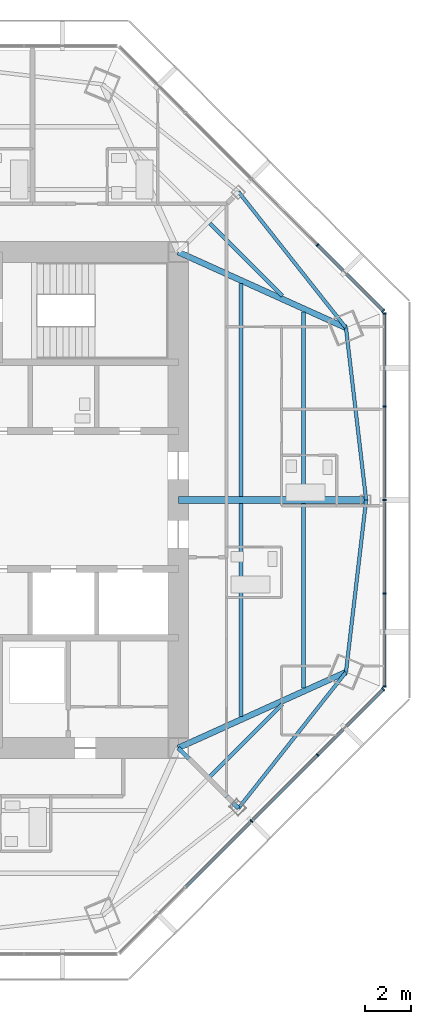
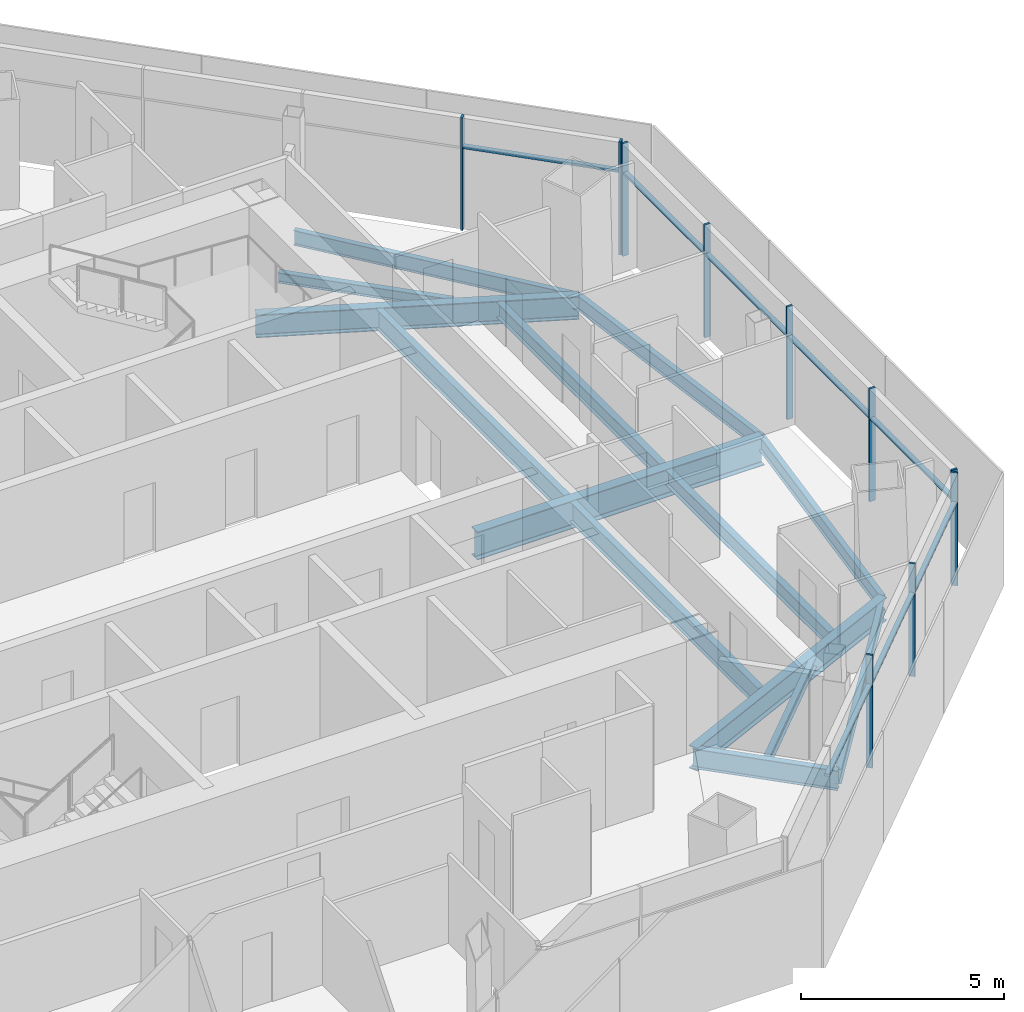
# One storey, part 5 of 15: 18 members, 14 beams, 3 elements without a shape of their own.
"""IFC4 building model written with IfcOpenShell, lengths in metres."""

from ifc_helpers import new_model, si_unit, direction, frame, origin, origin_2d, place, context, subcontext, project, spatial, rectangle, i_section, extrude, source, transform, mapped, material, material_profile, profile_set, type_object, type_shapes, element, aggregate, save


model = new_model("IFC4")

# Units and contexts
model_context = context("Model", 3, precision=1e-05, world=origin(), true_north=direction((0.0, 1.0)))
body_context = subcontext(model_context, "Body", "Model", "MODEL_VIEW")
ifc_project = project(units=[si_unit("LENGTHUNIT", "METRE"), si_unit("AREAUNIT", "SQUARE_METRE"), si_unit("VOLUMEUNIT", "CUBIC_METRE"), si_unit("PLANEANGLEUNIT", "RADIAN"), si_unit("MASSUNIT", "GRAM", prefix="KILO")], contexts=[model_context])

# Site, building, storey
site_placement = place(None, origin())
site = spatial("IfcSite", under=ifc_project, at=site_placement, CompositionType="ELEMENT")
building_placement = place(site_placement, origin())
building = spatial("IfcBuilding", under=site, at=building_placement, Name="Mashrafa Tower", CompositionType="ELEMENT")
storey_placement = place(building_placement, frame((0.0, 0.0, 291.199951171875)))
storey = spatial("IfcBuildingStorey", under=building, at=storey_placement, Name="L71", CompositionType="ELEMENT", Elevation=291.199951171875)

# Beams
ifc_material_1 = material(Name="Steel ASTM A992", Category="steel")
ifc_material_profile_1 = material_profile(ifc_material_1, i_section(OverallWidth=0.164794921875, OverallDepth=0.309814453125, WebThickness=0.005859375, FlangeThickness=0.009765625, FilletRadius=0.007568359375, at=origin_2d()), Name="W12X26")
ifc_profile_set_1 = profile_set([ifc_material_profile_1], Name="Steel ASTM A992")
beam_type_1 = type_object("IfcBeamType", Name="Beam W12X26", PredefinedType="BEAM", material=ifc_profile_set_1)
for number, where, z_axis, x_axis, name in (
    (1, (12.17431640625, 12.04833984375, -0.35498046875), (0.70713414653, -0.707079414784, 0.0), (0.707079414784, 0.70713414653, 0.0), "Floor beam L71 019"),
    (2, (15.32861328125, -8.894287109375, -0.35498046875), (-0.70713414653, -0.707079414784, 0.0), (0.707079414784, -0.70713414653, 0.0), "Floor beam L71 022"),
):
    element("IfcBeam", number, at=place(storey_placement, frame(where, z_axis=z_axis, x_axis=x_axis)), inside=storey, type_object=beam_type_1, Name=name, PredefinedType="BEAM", context=body_context, shape_type="SweptSolid", body=[
        extrude(i_section(OverallWidth=0.164794921875, OverallDepth=0.309814453125, WebThickness=0.005859375, FlangeThickness=0.009765625, FilletRadius=0.007568359375, at=origin_2d()), origin(), (0.0, 0.0, 1.0), 4.460693359375),
    ])
ifc_material_2 = material(Name="Steel ASTM A992", Category="steel")
ifc_material_profile_2 = material_profile(ifc_material_2, i_section(OverallWidth=0.15234375, OverallDepth=0.449462890625, WebThickness=0.007568359375, FlangeThickness=0.0107421875, FilletRadius=0.01025390625, at=origin_2d()), Name="W18X35")
ifc_profile_set_2 = profile_set([ifc_material_profile_2], Name="Steel ASTM A992")
beam_type_2 = type_object("IfcBeamType", Name="Beam W18X35", PredefinedType="BEAM", material=ifc_profile_set_2)
beam_1_placement = place(storey_placement, frame((13.4228515625, -13.4228515625, -0.4248046875), z_axis=(0.620046788418, 0.784564834907, 0.0), x_axis=(-0.784564834907, 0.620046788418, 0.0)))
element("IfcBeam", 3, at=beam_1_placement, inside=storey, type_object=beam_type_2, Name="Spandrel beam L71 052", PredefinedType="BEAM", context=body_context, shape_type="SweptSolid", body=[
    extrude(i_section(OverallWidth=0.15234375, OverallDepth=0.449462890625, WebThickness=0.007568359375, FlangeThickness=0.0107421875, FilletRadius=0.01025390625, at=origin_2d()), origin(), (0.0, 0.0, 1.0), 7.550537109375),
])
beam_2_placement = place(storey_placement, frame((18.1044921875, -7.4990234375, -0.4248046875), z_axis=(0.116310290877, 0.993212925931, 0.0), x_axis=(-0.993212925931, 0.116310290877, 0.0)))
element("IfcBeam", 4, at=beam_2_placement, inside=storey, type_object=beam_type_2, Name="Spandrel beam L71 054", PredefinedType="BEAM", context=body_context, shape_type="SweptSolid", body=[
    extrude(i_section(OverallWidth=0.15234375, OverallDepth=0.449462890625, WebThickness=0.007568359375, FlangeThickness=0.0107421875, FilletRadius=0.01025390625, at=origin_2d()), origin(), (0.0, 0.0, 1.0), 7.55029296875),
])
beam_3_placement = place(storey_placement, frame((18.1044921875, 7.4990234375, -0.4248046875), z_axis=(-0.620046788418, 0.784564834907, 0.0), x_axis=(-0.784564834907, -0.620046788418, 0.0)))
element("IfcBeam", 5, at=beam_3_placement, inside=storey, type_object=beam_type_2, Name="Spandrel beam L71 055", PredefinedType="BEAM", context=body_context, shape_type="SweptSolid", body=[
    extrude(i_section(OverallWidth=0.15234375, OverallDepth=0.449462890625, WebThickness=0.007568359375, FlangeThickness=0.0107421875, FilletRadius=0.01025390625, at=origin_2d()), origin(), (0.0, 0.0, 1.0), 7.550537109375),
])
beam_4_placement = place(storey_placement, frame((18.982666015625, 0.0, -0.4248046875), z_axis=(-0.116310290877, 0.993212925931, 0.0), x_axis=(-0.993212925931, -0.116310290877, 0.0)))
element("IfcBeam", 6, at=beam_4_placement, inside=storey, type_object=beam_type_2, Name="Spandrel beam L71 056", PredefinedType="BEAM", context=body_context, shape_type="SweptSolid", body=[
    extrude(i_section(OverallWidth=0.15234375, OverallDepth=0.449462890625, WebThickness=0.007568359375, FlangeThickness=0.0107421875, FilletRadius=0.01025390625, at=origin_2d()), origin(), (0.0, 0.0, 1.0), 7.55029296875),
])
ifc_material_3 = material(Name="Steel ASTM A992", Category="steel")
ifc_material_profile_3 = material_profile(ifc_material_3, i_section(OverallWidth=0.191162109375, OverallDepth=0.459716796875, WebThickness=0.010009765625, FlangeThickness=0.01611328125, FilletRadius=0.01025390625, at=origin_2d()), Name="W18X55")
ifc_profile_set_3 = profile_set([ifc_material_profile_3], Name="Steel ASTM A992")
beam_type_3 = type_object("IfcBeamType", Name="Beam W18X55", PredefinedType="BEAM", material=ifc_profile_set_3)
for number, where, z_axis, x_axis, name in (
    (7, (16.255126953125, -0.14599609375, -0.429931640625), (0.0, -1.0, 0.0), (1.0, 0.0, 0.0), "Floor beam L71 023"),
    (8, (16.255126953125, 8.194091796875, -0.429931640625), (0.0, -1.0, 0.0), (1.0, 0.0, 0.0), "Floor beam L71 024"),
):
    element("IfcBeam", number, at=place(storey_placement, frame(where, z_axis=z_axis, x_axis=x_axis)), inside=storey, type_object=beam_type_3, Name=name, PredefinedType="BEAM", context=body_context, shape_type="SweptSolid", body=[
        extrude(i_section(OverallWidth=0.191162109375, OverallDepth=0.459716796875, WebThickness=0.010009765625, FlangeThickness=0.01611328125, FilletRadius=0.01025390625, at=origin_2d()), origin(), (0.0, 0.0, 1.0), 8.048095703125),
    ])
ifc_material_4 = material(Name="Steel ASTM A992", Category="steel")
ifc_material_profile_4 = material_profile(ifc_material_4, i_section(OverallWidth=0.177978515625, OverallDepth=0.599365234375, WebThickness=0.010009765625, FlangeThickness=0.012939453125, FilletRadius=0.012939453125, at=origin_2d()), Name="W24X55")
ifc_profile_set_4 = profile_set([ifc_material_profile_4], Name="Steel ASTM A992")
beam_type_4 = type_object("IfcBeamType", Name="Beam W24X55", PredefinedType="BEAM", material=ifc_profile_set_4)
for number, where, z_axis, x_axis, name in (
    (9, (13.527587890625, -0.14599609375, -0.499755859375), (0.0, -1.0, 0.0), (1.0, 0.0, 0.0), "Floor beam L71 020"),
    (10, (13.527587890625, 9.426513671875, -0.499755859375), (0.0, -1.0, 0.0), (1.0, 0.0, 0.0), "Floor beam L71 021"),
):
    element("IfcBeam", number, at=place(storey_placement, frame(where, z_axis=z_axis, x_axis=x_axis)), inside=storey, type_object=beam_type_4, Name=name, PredefinedType="BEAM", context=body_context, shape_type="SweptSolid", body=[
        extrude(i_section(OverallWidth=0.177978515625, OverallDepth=0.599365234375, WebThickness=0.010009765625, FlangeThickness=0.012939453125, FilletRadius=0.012939453125, at=origin_2d()), origin(), (0.0, 0.0, 1.0), 9.280517578125),
    ])
beam_5_placement = place(storey_placement, frame((10.800048828125, -10.800048828125, -0.499755859375), z_axis=(0.707106781187, -0.707106781187, 0.0), x_axis=(0.707106781187, 0.707106781187, 0.0)))
element("IfcBeam", 11, at=beam_5_placement, inside=storey, type_object=beam_type_4, Name="Radial girder L71 035", PredefinedType="BEAM", context=body_context, shape_type="SweptSolid", body=[
    extrude(i_section(OverallWidth=0.177978515625, OverallDepth=0.599365234375, WebThickness=0.010009765625, FlangeThickness=0.012939453125, FilletRadius=0.012939453125, at=origin_2d()), origin(), (0.0, 0.0, 1.0), 3.709228515625),
])
ifc_material_5 = material(Name="Steel ASTM A992", Category="steel")
ifc_material_profile_5 = material_profile(ifc_material_5, i_section(OverallWidth=0.256591796875, OverallDepth=0.693359375, WebThickness=0.014404296875, FlangeThickness=0.023681640625, FilletRadius=0.01513671875, at=origin_2d()), Name="W27X114")
ifc_profile_set_5 = profile_set([ifc_material_profile_5], Name="Steel ASTM A992")
beam_type_5 = type_object("IfcBeamType", Name="Beam W27X114", PredefinedType="BEAM", material=ifc_profile_set_5)
for number, where, z_axis, x_axis, name in (
    (12, (10.800048828125, -10.800048828125, -0.546630859375), (0.911265534167, 0.411819288328, 0.0), (-0.411819288328, 0.911265534167, 0.0), "Radial girder L71 036"),
    (13, (10.800048828125, 10.800048828125, -0.546630859375), (0.911265534167, -0.411819288328, 0.0), (0.411819288328, 0.911265534167, 0.0), "Radial girder L71 040"),
):
    element("IfcBeam", number, at=place(storey_placement, frame(where, z_axis=z_axis, x_axis=x_axis)), inside=storey, type_object=beam_type_5, Name=name, PredefinedType="BEAM", context=body_context, shape_type="SweptSolid", body=[
        extrude(i_section(OverallWidth=0.256591796875, OverallDepth=0.693359375, WebThickness=0.014404296875, FlangeThickness=0.023681640625, FilletRadius=0.01513671875, at=origin_2d()), origin(), (0.0, 0.0, 1.0), 8.015625),
    ])
ifc_material_6 = material(Name="Steel ASTM A992", Category="steel")
ifc_material_profile_6 = material_profile(ifc_material_6, i_section(OverallWidth=0.2919921875, OverallDepth=0.8408203125, WebThickness=0.0146484375, FlangeThickness=0.021728515625, FilletRadius=0.017333984375, at=origin_2d()), Name="W33X130")
ifc_profile_set_6 = profile_set([ifc_material_profile_6], Name="Steel ASTM A992")
beam_type_6 = type_object("IfcBeamType", Name="Beam W33X130", PredefinedType="BEAM", material=ifc_profile_set_6)
beam_6_placement = place(storey_placement, frame((10.800048828125, 0.0, -0.620361328125), z_axis=(1.0, 0.0, 0.0), x_axis=(0.0, 1.0, 0.0)))
element("IfcBeam", 14, at=beam_6_placement, inside=storey, type_object=beam_type_6, Name="Radial girder L71 037", PredefinedType="BEAM", context=body_context, shape_type="SweptSolid", body=[
    extrude(i_section(OverallWidth=0.2919921875, OverallDepth=0.8408203125, WebThickness=0.0146484375, FlangeThickness=0.021728515625, FilletRadius=0.017333984375, at=origin_2d()), origin(), (0.0, 0.0, 1.0), 8.1826171875),
])

# Curtain wall, members
ifc_material_7 = material(Name="Unitised aluminium curtain wall", Category="aluminium")
curtain_wall_type = type_object("IfcCurtainWallType", Name="Apartment curtain wall, zone 4 CW-D 160 deep", PredefinedType="NOTDEFINED", material=ifc_material_7)
curtain_wall_1_placement = place(storey_placement, origin())
curtain_wall_1 = element("IfcCurtainWall", 15, at=curtain_wall_1_placement, inside=storey, type_object=curtain_wall_type, Name="Apartment curtain wall, zone 4 L71 east", PredefinedType="NOTDEFINED")
ifc_material_8 = material(Name="Extruded aluminium mullion", Category="aluminium")
ifc_material_profile_7 = material_profile(ifc_material_8, rectangle(XDim=0.159912109375, YDim=0.06005859375, at=origin_2d()), Name="Mullion 60x160")
ifc_profile_set_7 = profile_set([ifc_material_profile_7], Name="Extruded aluminium mullion")
member_type_1 = type_object("IfcMemberType", Name="Mullion CW-D 60 x 160", PredefinedType="MULLION", material=ifc_profile_set_7)
shared_shape_1 = source(origin(), body_context, "Body", "SweptSolid", [
    extrude(rectangle(XDim=0.159912109375, YDim=0.06005859375, at=origin_2d()), origin(), (0.0, 0.0, 1.0), 3.400146484375),
])
type_shapes(member_type_1, [shared_shape_1])
member_1_placement = place(storey_placement, frame((19.777099609375, -8.118896484375, 0.0), z_axis=(0.0, 0.0, 1.0), x_axis=(-1.0, 0.0, 0.0)))
member_1 = element("IfcMember", 16, at=member_1_placement, type_object=member_type_1, Name="CW-D mullion 1", PredefinedType="MULLION", context=body_context, shape_type="MappedRepresentation", body=[
    mapped(shared_shape_1, transform((0.0, 0.0, 0.0))),
])
member_2_placement = place(storey_placement, frame((19.777099609375, -4.074462890625, 0.0), z_axis=(0.0, 0.0, 1.0), x_axis=(-1.0, 0.0, 0.0)))
member_2 = element("IfcMember", 17, at=member_2_placement, type_object=member_type_1, Name="CW-D mullion 2", PredefinedType="MULLION", context=body_context, shape_type="MappedRepresentation", body=[
    mapped(shared_shape_1, transform((0.0, 0.0, 0.0))),
])
member_3_placement = place(storey_placement, frame((19.777099609375, 0.0, 0.0), z_axis=(0.0, 0.0, 1.0), x_axis=(-1.0, 0.0, 0.0)))
member_3 = element("IfcMember", 18, at=member_3_placement, type_object=member_type_1, Name="CW-D mullion 3", PredefinedType="MULLION", context=body_context, shape_type="MappedRepresentation", body=[
    mapped(shared_shape_1, transform((0.0, 0.0, 0.0))),
])
member_4_placement = place(storey_placement, frame((19.777099609375, 4.074462890625, 0.0), z_axis=(0.0, 0.0, 1.0), x_axis=(-1.0, 0.0, 0.0)))
member_4 = element("IfcMember", 19, at=member_4_placement, type_object=member_type_1, Name="CW-D mullion 4", PredefinedType="MULLION", context=body_context, shape_type="MappedRepresentation", body=[
    mapped(shared_shape_1, transform((0.0, 0.0, 0.0))),
])
member_5_placement = place(storey_placement, frame((19.777099609375, 8.118896484375, 0.0), z_axis=(0.0, 0.0, 1.0), x_axis=(-1.0, 0.0, 0.0)))
member_5 = element("IfcMember", 20, at=member_5_placement, type_object=member_type_1, Name="CW-D mullion 5", PredefinedType="MULLION", context=body_context, shape_type="MappedRepresentation", body=[
    mapped(shared_shape_1, transform((0.0, 0.0, 0.0))),
])

curtain_wall_2_placement = place(storey_placement, origin())
curtain_wall_2 = element("IfcCurtainWall", 21, at=curtain_wall_2_placement, inside=storey, type_object=curtain_wall_type, Name="Apartment curtain wall, zone 4 L71 north-east", PredefinedType="NOTDEFINED")
member_6_placement = place(storey_placement, frame((19.725341796875, 8.24365234375, 0.0), z_axis=(0.0, 0.0, 1.0), x_axis=(-0.707106781187, -0.707106781187, 0.0)))
member_6 = element("IfcMember", 22, at=member_6_placement, type_object=member_type_1, Name="CW-D mullion 1", PredefinedType="MULLION", context=body_context, shape_type="MappedRepresentation", body=[
    mapped(shared_shape_1, transform((0.0, 0.0, 0.0))),
])
member_7_placement = place(storey_placement, frame((16.865478515625, 11.103515625, 0.0), z_axis=(0.0, 0.0, 1.0), x_axis=(-0.707106781187, -0.707106781187, 0.0)))
member_7 = element("IfcMember", 23, at=member_7_placement, type_object=member_type_1, Name="CW-D mullion 2", PredefinedType="MULLION", context=body_context, shape_type="MappedRepresentation", body=[
    mapped(shared_shape_1, transform((0.0, 0.0, 0.0))),
])

curtain_wall_3_placement = place(storey_placement, origin())
curtain_wall_3 = element("IfcCurtainWall", 24, at=curtain_wall_3_placement, inside=storey, type_object=curtain_wall_type, Name="Apartment curtain wall, zone 4 L71 south-east", PredefinedType="NOTDEFINED")
member_8_placement = place(storey_placement, frame((13.984619140625, -13.984619140625, 0.0), z_axis=(0.0, 0.0, 1.0), x_axis=(-0.707106781187, 0.707106781187, 0.0)))
member_8 = element("IfcMember", 25, at=member_8_placement, type_object=member_type_1, Name="CW-D mullion 3", PredefinedType="MULLION", context=body_context, shape_type="MappedRepresentation", body=[
    mapped(shared_shape_1, transform((0.0, 0.0, 0.0))),
])
member_9_placement = place(storey_placement, frame((16.865478515625, -11.103515625, 0.0), z_axis=(0.0, 0.0, 1.0), x_axis=(-0.707106781187, 0.707106781187, 0.0)))
member_9 = element("IfcMember", 26, at=member_9_placement, type_object=member_type_1, Name="CW-D mullion 4", PredefinedType="MULLION", context=body_context, shape_type="MappedRepresentation", body=[
    mapped(shared_shape_1, transform((0.0, 0.0, 0.0))),
])
member_10_placement = place(storey_placement, frame((19.725341796875, -8.24365234375, 0.0), z_axis=(0.0, 0.0, 1.0), x_axis=(-0.707106781187, 0.707106781187, 0.0)))
member_10 = element("IfcMember", 27, at=member_10_placement, type_object=member_type_1, Name="CW-D mullion 5", PredefinedType="MULLION", context=body_context, shape_type="MappedRepresentation", body=[
    mapped(shared_shape_1, transform((0.0, 0.0, 0.0))),
])

# Member
ifc_material_9 = material(Name="Extruded aluminium transom", Category="aluminium")
ifc_material_profile_8 = material_profile(ifc_material_9, rectangle(XDim=0.1279296875, YDim=0.074951171875, at=origin_2d()), Name="Transom 75x128")
ifc_profile_set_8 = profile_set([ifc_material_profile_8], Name="Extruded aluminium transom")
member_type_2 = type_object("IfcMemberType", Name="Transom CW-D 75 x 128", PredefinedType="MULLION", material=ifc_profile_set_8)
shared_shape_2 = source(origin(), body_context, "Body", "SweptSolid", [
    extrude(rectangle(XDim=0.1279296875, YDim=0.074951171875, at=origin_2d()), origin(), (0.0, 0.0, 1.0), 3.984375),
])
member_11_placement = place(storey_placement, frame((19.777099609375, -8.0888671875, 2.5), z_axis=(0.0, 1.0, 0.0), x_axis=(-1.0, 0.0, 0.0)))
member_11 = element("IfcMember", 28, at=member_11_placement, type_object=member_type_2, Name="CW-D transom 1", PredefinedType="MULLION", context=body_context, shape_type="MappedRepresentation", body=[
    mapped(shared_shape_2, transform((0.0, 0.0, 0.0))),
])

member_12_placement = place(storey_placement, frame((19.777099609375, 4.1044921875, 2.5), z_axis=(0.0, 1.0, 0.0), x_axis=(-1.0, 0.0, 0.0)))
member_12 = element("IfcMember", 29, at=member_12_placement, type_object=member_type_2, Name="CW-D transom 4", PredefinedType="MULLION", context=body_context, shape_type="MappedRepresentation", body=[
    mapped(shared_shape_2, transform((0.0, 0.0, 0.0))),
])

member_13_placement = place(storey_placement, frame((19.7041015625, 8.264892578125, 2.5), z_axis=(-0.707106781187, 0.707106781187, 0.0), x_axis=(-0.707106781187, -0.707106781187, 0.0)))
member_13 = element("IfcMember", 30, at=member_13_placement, type_object=member_type_2, Name="CW-D transom 1", PredefinedType="MULLION", context=body_context, shape_type="MappedRepresentation", body=[
    mapped(shared_shape_2, transform((0.0, 0.0, 0.0))),
])

aggregate(curtain_wall_2, [member_6, member_7, member_13])

member_14_placement = place(storey_placement, frame((16.88671875, -11.082275390625, 2.5), z_axis=(0.707106781187, 0.707106781187, 0.0), x_axis=(-0.707106781187, 0.707106781187, 0.0)))
member_14 = element("IfcMember", 31, at=member_14_placement, type_object=member_type_2, Name="CW-D transom 4", PredefinedType="MULLION", context=body_context, shape_type="MappedRepresentation", body=[
    mapped(shared_shape_2, transform((0.0, 0.0, 0.0))),
])

shared_shape_3 = source(origin(), body_context, "Body", "SweptSolid", [
    extrude(rectangle(XDim=0.1279296875, YDim=0.074951171875, at=origin_2d()), origin(), (0.0, 0.0, 1.0), 4.014404296875),
])
type_shapes(member_type_2, [shared_shape_2, shared_shape_3])
member_15_placement = place(storey_placement, frame((19.777099609375, -4.04443359375, 2.5), z_axis=(0.0, 1.0, 0.0), x_axis=(-1.0, 0.0, 0.0)))
member_15 = element("IfcMember", 32, at=member_15_placement, type_object=member_type_2, Name="CW-D transom 2", PredefinedType="MULLION", context=body_context, shape_type="MappedRepresentation", body=[
    mapped(shared_shape_3, transform((0.0, 0.0, 0.0))),
])

member_16_placement = place(storey_placement, frame((19.777099609375, 0.030029296875, 2.5), z_axis=(0.0, 1.0, 0.0), x_axis=(-1.0, 0.0, 0.0)))
member_16 = element("IfcMember", 33, at=member_16_placement, type_object=member_type_2, Name="CW-D transom 3", PredefinedType="MULLION", context=body_context, shape_type="MappedRepresentation", body=[
    mapped(shared_shape_3, transform((0.0, 0.0, 0.0))),
])

aggregate(curtain_wall_1, [member_1, member_2, member_3, member_4, member_5, member_11, member_15, member_16, member_12])

member_17_placement = place(storey_placement, frame((11.124755859375, -16.84423828125, 2.5), z_axis=(0.707106781187, 0.707106781187, 0.0), x_axis=(-0.707106781187, 0.707106781187, 0.0)))
member_17 = element("IfcMember", 34, at=member_17_placement, type_object=member_type_2, Name="CW-D transom 2", PredefinedType="MULLION", context=body_context, shape_type="MappedRepresentation", body=[
    mapped(shared_shape_3, transform((0.0, 0.0, 0.0))),
])

member_18_placement = place(storey_placement, frame((14.005615234375, -13.96337890625, 2.5), z_axis=(0.707106781187, 0.707106781187, 0.0), x_axis=(-0.707106781187, 0.707106781187, 0.0)))
member_18 = element("IfcMember", 35, at=member_18_placement, type_object=member_type_2, Name="CW-D transom 3", PredefinedType="MULLION", context=body_context, shape_type="MappedRepresentation", body=[
    mapped(shared_shape_3, transform((0.0, 0.0, 0.0))),
])

aggregate(curtain_wall_3, [member_8, member_9, member_10, member_17, member_18, member_14])

save(model, "model.ifc")
